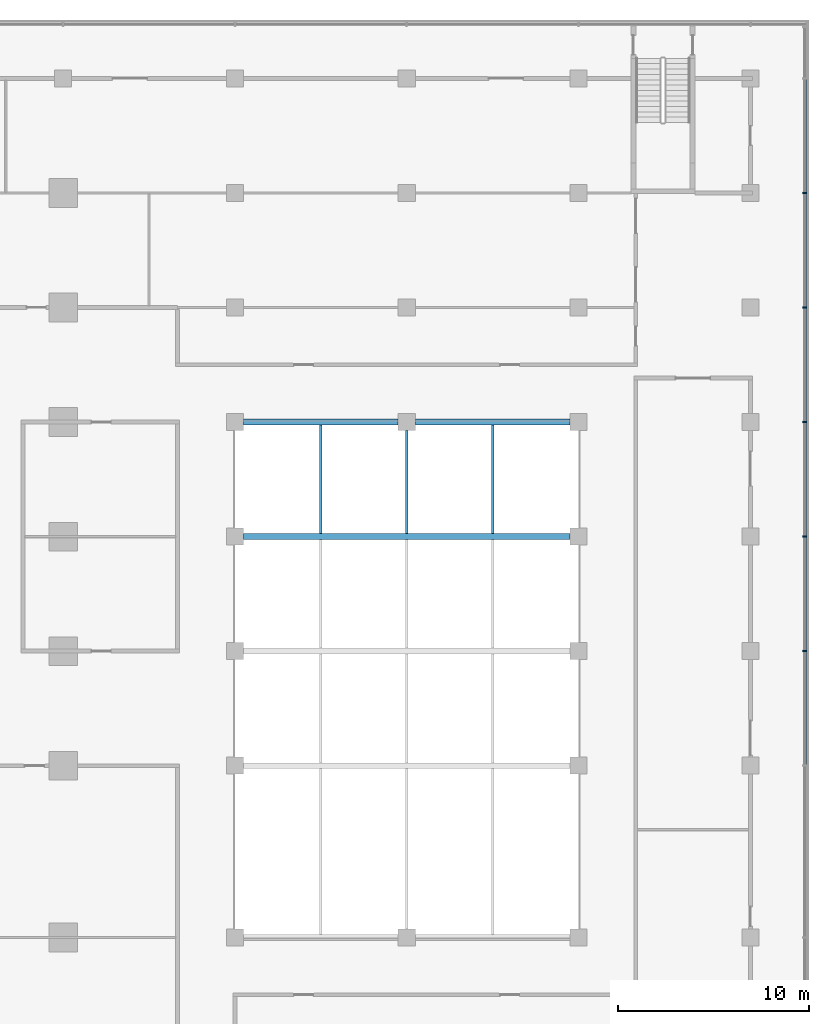
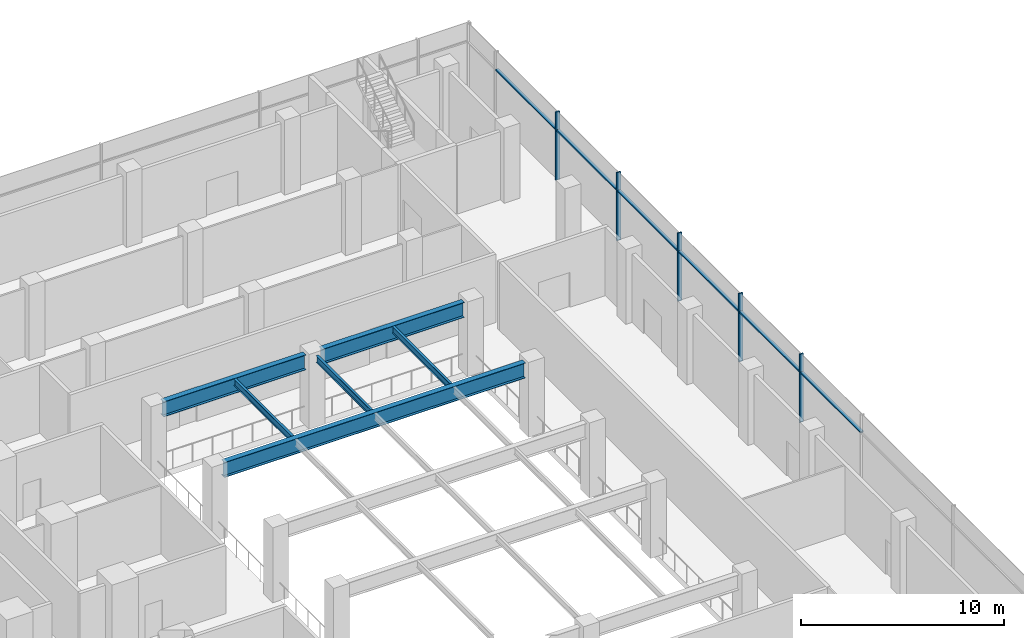
# One storey, part 6 of 22: 11 members, 6 beams, 1 element without a shape of its own.
"""IFC4 building model written with IfcOpenShell, lengths in metres."""

from ifc_helpers import new_model, si_unit, direction, frame, origin, origin_2d, place, context, subcontext, project, spatial, rectangle, i_section, extrude, material, material_profile, profile_set, type_object, element, aggregate, save


model = new_model("IFC4")

# Units and contexts
model_context = context("Model", 3, precision=1e-05, world=origin(), true_north=direction((0.0, 1.0)))
body_context = subcontext(model_context, "Body", "Model", "MODEL_VIEW")
ifc_project = project(units=[si_unit("LENGTHUNIT", "METRE"), si_unit("AREAUNIT", "SQUARE_METRE"), si_unit("VOLUMEUNIT", "CUBIC_METRE"), si_unit("PLANEANGLEUNIT", "RADIAN"), si_unit("MASSUNIT", "GRAM", prefix="KILO")], contexts=[model_context])

# Site, building, storey
site_placement = place(None, origin())
site = spatial("IfcSite", under=ifc_project, at=site_placement, CompositionType="ELEMENT")
building_placement = place(site_placement, origin())
building = spatial("IfcBuilding", under=site, at=building_placement, Name="Finial Court Residences", CompositionType="ELEMENT")
storey_placement = place(building_placement, frame((0.0, 0.0, 28.0)))
storey = spatial("IfcBuildingStorey", under=building, at=storey_placement, Name="L05", CompositionType="ELEMENT", Elevation=28.0)

# Beams
ifc_material_1 = material(Name="Steel ASTM A992 Gr 50", Category="steel")
ifc_material_profile_1 = material_profile(ifc_material_1, i_section(OverallWidth=0.303955078125, OverallDepth=0.910888671875, WebThickness=0.015869140625, FlangeThickness=0.02392578125, at=origin_2d()), Name="W36x150")
ifc_profile_set_1 = profile_set([ifc_material_profile_1], Name="Steel ASTM A992 Gr 50")
beam_type_1 = type_object("IfcBeamType", Name="Atrium roof girder W36x150", PredefinedType="BEAM", material=ifc_profile_set_1)
beam_1_placement = place(storey_placement, frame((31.949951171875, 7.5, 3.844482421875), z_axis=(1.0, 0.0, 0.0), x_axis=(0.0, 1.0, 0.0)))
element("IfcBeam", 1, at=beam_1_placement, inside=storey, type_object=beam_type_1, Name="S:ATG:+7.5:1", PredefinedType="BEAM", context=body_context, shape_type="SweptSolid", body=[
    extrude(i_section(OverallWidth=0.303955078125, OverallDepth=0.910888671875, WebThickness=0.015869140625, FlangeThickness=0.02392578125, at=origin_2d()), origin(), (0.0, 0.0, 1.0), 17.10009765625),
])
for number, where, z_axis, x_axis, name in (
    (2, (31.949951171875, 13.5, 3.844482421875), (1.0, 0.0, 0.0), (0.0, 1.0, 0.0), "S:ATG:+13.5:1"),
    (3, (40.949951171875, 13.5, 3.844482421875), (1.0, 0.0, 0.0), (0.0, 1.0, 0.0), "S:ATG:+13.5:2"),
):
    element("IfcBeam", number, at=place(storey_placement, frame(where, z_axis=z_axis, x_axis=x_axis)), inside=storey, type_object=beam_type_1, Name=name, PredefinedType="BEAM", context=body_context, shape_type="SweptSolid", body=[
        extrude(i_section(OverallWidth=0.303955078125, OverallDepth=0.910888671875, WebThickness=0.015869140625, FlangeThickness=0.02392578125, at=origin_2d()), origin(), (0.0, 0.0, 1.0), 8.10009765625),
    ])
ifc_material_profile_2 = material_profile(ifc_material_1, i_section(OverallWidth=0.139892578125, OverallDepth=0.403076171875, WebThickness=0.007080078125, FlangeThickness=0.01123046875, at=origin_2d()), Name="W16x31")
ifc_profile_set_2 = profile_set([ifc_material_profile_2], Name="Steel ASTM A992 Gr 50")
beam_type_2 = type_object("IfcBeamType", Name="Atrium roof joist W16x31", PredefinedType="JOIST", material=ifc_profile_set_2)
beam_2_placement = place(storey_placement, frame((36.0, 7.652099609375, 4.098388671875), z_axis=(0.0, 1.0, 0.0), x_axis=(-1.0, 0.0, 0.0)))
element("IfcBeam", 4, at=beam_2_placement, inside=storey, type_object=beam_type_2, Name="S:ATJ:+36.00:+7.5", PredefinedType="JOIST", context=body_context, shape_type="SweptSolid", body=[
    extrude(i_section(OverallWidth=0.139892578125, OverallDepth=0.403076171875, WebThickness=0.007080078125, FlangeThickness=0.01123046875, at=origin_2d()), origin(), (0.0, 0.0, 1.0), 5.69580078125),
])
beam_3_placement = place(storey_placement, frame((40.5, 7.652099609375, 4.098388671875), z_axis=(0.0, 1.0, 0.0), x_axis=(-1.0, 0.0, 0.0)))
element("IfcBeam", 5, at=beam_3_placement, inside=storey, type_object=beam_type_2, Name="S:ATJ:+40.50:+7.5", PredefinedType="JOIST", context=body_context, shape_type="SweptSolid", body=[
    extrude(i_section(OverallWidth=0.139892578125, OverallDepth=0.403076171875, WebThickness=0.007080078125, FlangeThickness=0.01123046875, at=origin_2d()), origin(), (0.0, 0.0, 1.0), 5.39794921875),
])
beam_4_placement = place(storey_placement, frame((45.0, 7.652099609375, 4.098388671875), z_axis=(0.0, 1.0, 0.0), x_axis=(-1.0, 0.0, 0.0)))
element("IfcBeam", 6, at=beam_4_placement, inside=storey, type_object=beam_type_2, Name="S:ATJ:+45.00:+7.5", PredefinedType="JOIST", context=body_context, shape_type="SweptSolid", body=[
    extrude(i_section(OverallWidth=0.139892578125, OverallDepth=0.403076171875, WebThickness=0.007080078125, FlangeThickness=0.01123046875, at=origin_2d()), origin(), (0.0, 0.0, 1.0), 5.69580078125),
])

# Curtain wall, members
ifc_material_2 = material(Name="Bronze anodised aluminium", Category="aluminium")
curtain_wall_type = type_object("IfcCurtainWallType", Name="Podium curtain wall", PredefinedType="NOTDEFINED", material=ifc_material_2)
curtain_wall_placement = place(storey_placement, origin())
curtain_wall = element("IfcCurtainWall", 7, at=curtain_wall_placement, inside=storey, type_object=curtain_wall_type, Name="E-L05-CW-E2", PredefinedType="NOTDEFINED")
ifc_material_profile_3 = material_profile(ifc_material_2, rectangle(XDim=0.22509765625, YDim=0.080078125, at=origin_2d()), Name="CW5 mullion 80 x 225")
ifc_profile_set_3 = profile_set([ifc_material_profile_3], Name="Bronze anodised aluminium")
member_type_1 = type_object("IfcMemberType", Name="CW5 mullion 80 x 225", PredefinedType="MULLION", material=ifc_profile_set_3)
member_1_placement = place(storey_placement, frame((61.35009765625, 1.5, 0.0), z_axis=(0.0, 0.0, 1.0), x_axis=(-1.0, 0.0, 0.0)))
member_1 = element("IfcMember", 8, at=member_1_placement, type_object=member_type_1, Name="CW5 mullion 6", PredefinedType="MULLION", context=body_context, shape_type="SweptSolid", body=[
    extrude(rectangle(XDim=0.22509765625, YDim=0.080078125, at=origin_2d()), origin(), (0.0, 0.0, 1.0), 4.10009765625),
])
member_2_placement = place(storey_placement, frame((61.35009765625, 7.5, 0.0), z_axis=(0.0, 0.0, 1.0), x_axis=(-1.0, 0.0, 0.0)))
member_2 = element("IfcMember", 9, at=member_2_placement, type_object=member_type_1, Name="CW5 mullion 7", PredefinedType="MULLION", context=body_context, shape_type="SweptSolid", body=[
    extrude(rectangle(XDim=0.22509765625, YDim=0.080078125, at=origin_2d()), origin(), (0.0, 0.0, 1.0), 4.10009765625),
])
member_3_placement = place(storey_placement, frame((61.35009765625, 13.5, 0.0), z_axis=(0.0, 0.0, 1.0), x_axis=(-1.0, 0.0, 0.0)))
member_3 = element("IfcMember", 10, at=member_3_placement, type_object=member_type_1, Name="CW5 mullion 8", PredefinedType="MULLION", context=body_context, shape_type="SweptSolid", body=[
    extrude(rectangle(XDim=0.22509765625, YDim=0.080078125, at=origin_2d()), origin(), (0.0, 0.0, 1.0), 4.10009765625),
])
member_4_placement = place(storey_placement, frame((61.35009765625, 19.5, 0.0), z_axis=(0.0, 0.0, 1.0), x_axis=(-1.0, 0.0, 0.0)))
member_4 = element("IfcMember", 11, at=member_4_placement, type_object=member_type_1, Name="CW5 mullion 9", PredefinedType="MULLION", context=body_context, shape_type="SweptSolid", body=[
    extrude(rectangle(XDim=0.22509765625, YDim=0.080078125, at=origin_2d()), origin(), (0.0, 0.0, 1.0), 4.10009765625),
])
member_5_placement = place(storey_placement, frame((61.35009765625, 25.5, 0.0), z_axis=(0.0, 0.0, 1.0), x_axis=(-1.0, 0.0, 0.0)))
member_5 = element("IfcMember", 12, at=member_5_placement, type_object=member_type_1, Name="CW5 mullion 10", PredefinedType="MULLION", context=body_context, shape_type="SweptSolid", body=[
    extrude(rectangle(XDim=0.22509765625, YDim=0.080078125, at=origin_2d()), origin(), (0.0, 0.0, 1.0), 4.10009765625),
])
ifc_material_profile_4 = material_profile(ifc_material_2, rectangle(XDim=0.175048828125, YDim=0.080078125, at=origin_2d()), Name="CW5 transom 80 x 175")
ifc_profile_set_4 = profile_set([ifc_material_profile_4], Name="Bronze anodised aluminium")
member_type_2 = type_object("IfcMemberType", Name="CW5 transom 80 x 175", PredefinedType="USERDEFINED", material=ifc_profile_set_4)
member_6_placement = place(storey_placement, frame((61.35009765625, -4.4599609375, 3.0), z_axis=(0.0, 1.0, 0.0), x_axis=(-1.0, 0.0, 0.0)))
member_6 = element("IfcMember", 13, at=member_6_placement, type_object=member_type_2, Name="CW5 transom 5.1", ObjectType="TRANSOM", PredefinedType="USERDEFINED", context=body_context, shape_type="SweptSolid", body=[
    extrude(rectangle(XDim=0.175048828125, YDim=0.080078125, at=origin_2d()), origin(), (0.0, 0.0, 1.0), 5.919921875),
])
member_7_placement = place(storey_placement, frame((61.35009765625, 1.5400390625, 3.0), z_axis=(0.0, 1.0, 0.0), x_axis=(-1.0, 0.0, 0.0)))
member_7 = element("IfcMember", 14, at=member_7_placement, type_object=member_type_2, Name="CW5 transom 6.1", ObjectType="TRANSOM", PredefinedType="USERDEFINED", context=body_context, shape_type="SweptSolid", body=[
    extrude(rectangle(XDim=0.175048828125, YDim=0.080078125, at=origin_2d()), origin(), (0.0, 0.0, 1.0), 5.919921875),
])
member_8_placement = place(storey_placement, frame((61.35009765625, 7.5400390625, 3.0), z_axis=(0.0, 1.0, 0.0), x_axis=(-1.0, 0.0, 0.0)))
member_8 = element("IfcMember", 15, at=member_8_placement, type_object=member_type_2, Name="CW5 transom 7.1", ObjectType="TRANSOM", PredefinedType="USERDEFINED", context=body_context, shape_type="SweptSolid", body=[
    extrude(rectangle(XDim=0.175048828125, YDim=0.080078125, at=origin_2d()), origin(), (0.0, 0.0, 1.0), 5.919921875),
])
member_9_placement = place(storey_placement, frame((61.35009765625, 13.5400390625, 3.0), z_axis=(0.0, 1.0, 0.0), x_axis=(-1.0, 0.0, 0.0)))
member_9 = element("IfcMember", 16, at=member_9_placement, type_object=member_type_2, Name="CW5 transom 8.1", ObjectType="TRANSOM", PredefinedType="USERDEFINED", context=body_context, shape_type="SweptSolid", body=[
    extrude(rectangle(XDim=0.175048828125, YDim=0.080078125, at=origin_2d()), origin(), (0.0, 0.0, 1.0), 5.919921875),
])
member_10_placement = place(storey_placement, frame((61.35009765625, 19.5400390625, 3.0), z_axis=(0.0, 1.0, 0.0), x_axis=(-1.0, 0.0, 0.0)))
member_10 = element("IfcMember", 17, at=member_10_placement, type_object=member_type_2, Name="CW5 transom 9.1", ObjectType="TRANSOM", PredefinedType="USERDEFINED", context=body_context, shape_type="SweptSolid", body=[
    extrude(rectangle(XDim=0.175048828125, YDim=0.080078125, at=origin_2d()), origin(), (0.0, 0.0, 1.0), 5.919921875),
])
member_11_placement = place(storey_placement, frame((61.35009765625, 25.5400390625, 3.0), z_axis=(0.0, 1.0, 0.0), x_axis=(-1.0, 0.0, 0.0)))
member_11 = element("IfcMember", 18, at=member_11_placement, type_object=member_type_2, Name="CW5 transom 10.1", ObjectType="TRANSOM", PredefinedType="USERDEFINED", context=body_context, shape_type="SweptSolid", body=[
    extrude(rectangle(XDim=0.175048828125, YDim=0.080078125, at=origin_2d()), origin(), (0.0, 0.0, 1.0), 5.919921875),
])
aggregate(curtain_wall, [member_1, member_2, member_3, member_4, member_5, member_6, member_7, member_8, member_9, member_10, member_11])

save(model, "model.ifc")
